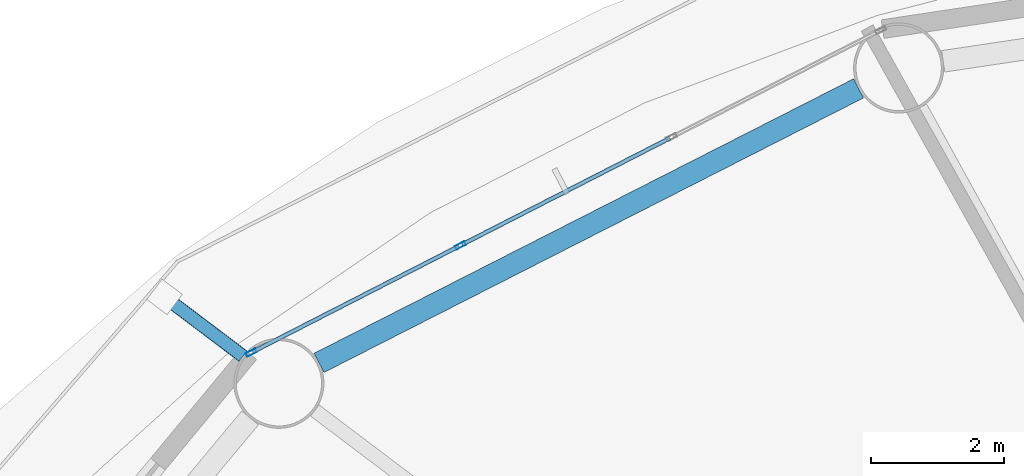
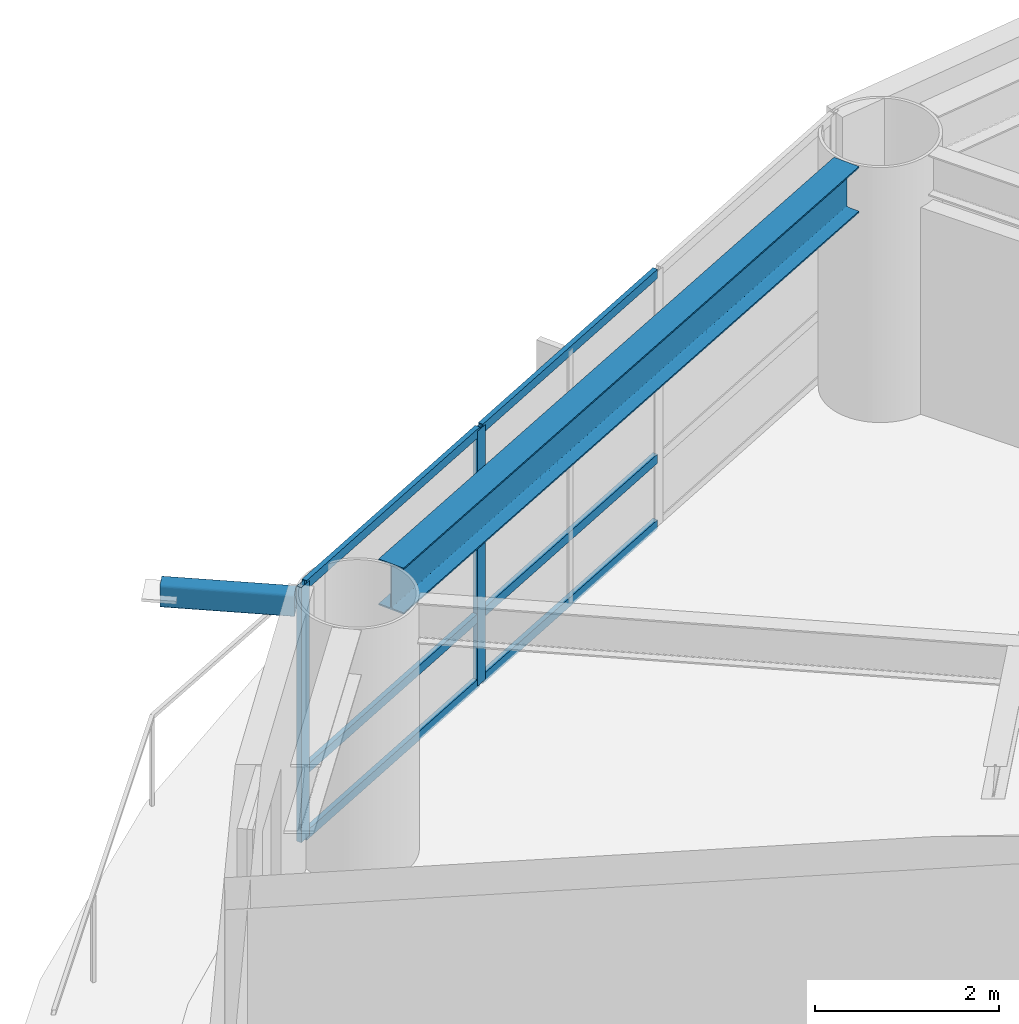
# One storey, part 8 of 24: 9 members, 1 beam, 1 element without a shape of its own.
"""IFC4 building model written with IfcOpenShell, lengths in metres."""

from ifc_helpers import new_model, si_unit, direction, frame, origin, origin_2d, place, context, subcontext, project, spatial, hollow_rectangle, i_section, extrude, material, layer, layer_set, material_profile, profile_set, type_object, element, aggregate, save


model = new_model("IFC4")

# Units and contexts
model_context = context("Model", 3, precision=1e-05, world=origin(), true_north=direction((0.0, 1.0)))
body_context = subcontext(model_context, "Body", "Model", "MODEL_VIEW")
ifc_project = project(units=[si_unit("LENGTHUNIT", "METRE"), si_unit("AREAUNIT", "SQUARE_METRE"), si_unit("VOLUMEUNIT", "CUBIC_METRE"), si_unit("PLANEANGLEUNIT", "RADIAN"), si_unit("MASSUNIT", "GRAM", prefix="KILO")], contexts=[model_context])

# Site, building, storey
site_placement = place(None, origin())
site = spatial("IfcSite", under=ifc_project, at=site_placement, CompositionType="ELEMENT")
building_placement = place(site_placement, origin())
building = spatial("IfcBuilding", under=site, at=building_placement, Name="Sarneth Arch Tower", CompositionType="ELEMENT")
storey_placement = place(building_placement, frame((0.0, 0.0, 127.199951171875)))
storey = spatial("IfcBuildingStorey", under=building, at=storey_placement, Name="L32", CompositionType="ELEMENT", Elevation=127.199951171875)

# Beam
ifc_material_1 = material(Name="Steel S355", Category="steel")
ifc_material_profile_1 = material_profile(ifc_material_1, i_section(OverallWidth=0.323974609375, OverallDepth=0.611083984375, WebThickness=0.0126953125, FlangeThickness=0.01904296875, FilletRadius=0.01904296875, at=origin_2d()), Name="W610x155")
ifc_profile_set_1 = profile_set([ifc_material_profile_1], Name="Steel S355")
beam_type = type_object("IfcBeamType", Name="BM-SPAN-610B", PredefinedType="SPANDREL", material=ifc_profile_set_1)
beam_placement = place(storey_placement, frame((36.2880859375, 61.83447265625, 3.074462890625), z_axis=(-0.891255891792, -0.453500755619, 0.0), x_axis=(0.453500755619, -0.891255891792, 0.0)))
element("IfcBeam", 1, at=beam_placement, inside=storey, type_object=beam_type, Name="L32 Perimeter spandrel beam 06", PredefinedType="SPANDREL", context=body_context, shape_type="SweptSolid", body=[
    extrude(i_section(OverallWidth=0.323974609375, OverallDepth=0.611083984375, WebThickness=0.0126953125, FlangeThickness=0.01904296875, FilletRadius=0.01904296875, at=origin_2d()), origin(), (0.0, 0.0, 1.0), 9.070556640625),
])

# Curtain wall, members
ifc_material_2 = material(Name="Anodised aluminium Type AA25 and solar-control low-e laminated IGU", Category="aluminium")
ifc_layer = layer(ifc_material_2, 0.159912109375)
ifc_layer_set = layer_set([ifc_layer], Name="Anodised aluminium Type AA25 and solar-control low-e laminated IGU")
curtain_wall_type = type_object("IfcCurtainWallType", Name="CW-HOTEL-MID", PredefinedType="NOTDEFINED", material=ifc_layer_set)
curtain_wall_placement = place(storey_placement, origin())
curtain_wall = element("IfcCurtainWall", 2, at=curtain_wall_placement, inside=storey, type_object=curtain_wall_type, Name="L32 Unitised curtain wall facet 06", PredefinedType="NOTDEFINED")
ifc_material_3 = material(Name="Anodised Aluminium 6063-T6", Category="aluminium")
ifc_material_profile_2 = material_profile(ifc_material_3, hollow_rectangle(XDim=0.06005859375, YDim=0.159912109375, WallThickness=0.00390625, at=origin_2d()), Name="AL-MULL-160x60x4")
ifc_profile_set_2 = profile_set([ifc_material_profile_2], Name="Anodised Aluminium 6063-T6")
member_type_1 = type_object("IfcMemberType", Name="CW-MULLION", PredefinedType="MULLION", material=ifc_profile_set_2)
member_1_placement = place(storey_placement, frame((30.322998046875, 59.481201171875, 0.0), z_axis=(0.0, 0.0, 1.0), x_axis=(0.456031365356, -0.889963703649, 0.0)))
member_1 = element("IfcMember", 3, at=member_1_placement, type_object=member_type_1, Name="CW-SYS-4 mullion 3", PredefinedType="MULLION", context=body_context, shape_type="SweptSolid", body=[
    extrude(hollow_rectangle(XDim=0.06005859375, YDim=0.159912109375, WallThickness=0.00390625, at=origin_2d()), origin(), (0.0, 0.0, 1.0), 3.380126953125),
])
member_2_placement = place(storey_placement, frame((27.186767578125, 57.8740234375, 0.0), z_axis=(0.0, 0.0, 1.0), x_axis=(0.456031365356, -0.889963703649, 0.0)))
member_2 = element("IfcMember", 4, at=member_2_placement, type_object=member_type_1, Name="CW-SYS-4 mullion 4", PredefinedType="MULLION", context=body_context, shape_type="SweptSolid", body=[
    extrude(hollow_rectangle(XDim=0.06005859375, YDim=0.159912109375, WallThickness=0.00390625, at=origin_2d()), origin(), (0.0, 0.0, 1.0), 3.380126953125),
])
ifc_material_4 = material(Name="Anodised Aluminium 6063-T6", Category="aluminium")
ifc_material_profile_3 = material_profile(ifc_material_4, hollow_rectangle(XDim=0.06005859375, YDim=0.1201171875, WallThickness=0.00390625, at=origin_2d()), Name="AL-TRAN-120x60x4")
ifc_profile_set_3 = profile_set([ifc_material_profile_3], Name="Anodised Aluminium 6063-T6")
member_type_2 = type_object("IfcMemberType", Name="CW-TRANSOM", PredefinedType="USERDEFINED", material=ifc_profile_set_3)
member_3_placement = place(storey_placement, frame((33.459228515625, 61.088134765625, 0.030029296875), z_axis=(-0.889981813856, -0.455996020823, 0.0), x_axis=(0.455996020823, -0.889981813856, 0.0)))
member_3 = element("IfcMember", 5, at=member_3_placement, type_object=member_type_2, Name="CW-SYS-4 transom 2.1", ObjectType="TRANSOM", PredefinedType="USERDEFINED", context=body_context, shape_type="SweptSolid", body=[
    extrude(hollow_rectangle(XDim=0.06005859375, YDim=0.1201171875, WallThickness=0.00390625, at=origin_2d()), origin(), (0.0, 0.0, 1.0), 3.494140625),
])
member_4_placement = place(storey_placement, frame((33.459228515625, 61.088134765625, 0.900146484375), z_axis=(-0.889981813856, -0.455996020823, 0.0), x_axis=(0.455996020823, -0.889981813856, 0.0)))
member_4 = element("IfcMember", 6, at=member_4_placement, type_object=member_type_2, Name="CW-SYS-4 transom 2.2", ObjectType="TRANSOM", PredefinedType="USERDEFINED", context=body_context, shape_type="SweptSolid", body=[
    extrude(hollow_rectangle(XDim=0.06005859375, YDim=0.1201171875, WallThickness=0.00390625, at=origin_2d()), origin(), (0.0, 0.0, 1.0), 3.494140625),
])
member_5_placement = place(storey_placement, frame((33.459228515625, 61.088134765625, 3.35009765625), z_axis=(-0.889981813856, -0.455996020823, 0.0), x_axis=(0.455996020823, -0.889981813856, 0.0)))
member_5 = element("IfcMember", 7, at=member_5_placement, type_object=member_type_2, Name="CW-SYS-4 transom 2.3", ObjectType="TRANSOM", PredefinedType="USERDEFINED", context=body_context, shape_type="SweptSolid", body=[
    extrude(hollow_rectangle(XDim=0.06005859375, YDim=0.1201171875, WallThickness=0.00390625, at=origin_2d()), origin(), (0.0, 0.0, 1.0), 3.494140625),
])
member_6_placement = place(storey_placement, frame((30.296142578125, 59.467529296875, 0.030029296875), z_axis=(-0.889942905184, -0.456071952122, 0.0), x_axis=(0.456071952122, -0.889942905184, 0.0)))
member_6 = element("IfcMember", 8, at=member_6_placement, type_object=member_type_2, Name="CW-SYS-4 transom 3.1", ObjectType="TRANSOM", PredefinedType="USERDEFINED", context=body_context, shape_type="SweptSolid", body=[
    extrude(hollow_rectangle(XDim=0.06005859375, YDim=0.1201171875, WallThickness=0.00390625, at=origin_2d()), origin(), (0.0, 0.0, 1.0), 3.464111328125),
])
member_7_placement = place(storey_placement, frame((30.296142578125, 59.467529296875, 0.900146484375), z_axis=(-0.889942905184, -0.456071952122, 0.0), x_axis=(0.456071952122, -0.889942905184, 0.0)))
member_7 = element("IfcMember", 9, at=member_7_placement, type_object=member_type_2, Name="CW-SYS-4 transom 3.2", ObjectType="TRANSOM", PredefinedType="USERDEFINED", context=body_context, shape_type="SweptSolid", body=[
    extrude(hollow_rectangle(XDim=0.06005859375, YDim=0.1201171875, WallThickness=0.00390625, at=origin_2d()), origin(), (0.0, 0.0, 1.0), 3.464111328125),
])
member_8_placement = place(storey_placement, frame((30.296142578125, 59.467529296875, 3.35009765625), z_axis=(-0.889942905184, -0.456071952122, 0.0), x_axis=(0.456071952122, -0.889942905184, 0.0)))
member_8 = element("IfcMember", 10, at=member_8_placement, type_object=member_type_2, Name="CW-SYS-4 transom 3.3", ObjectType="TRANSOM", PredefinedType="USERDEFINED", context=body_context, shape_type="SweptSolid", body=[
    extrude(hollow_rectangle(XDim=0.06005859375, YDim=0.1201171875, WallThickness=0.00390625, at=origin_2d()), origin(), (0.0, 0.0, 1.0), 3.464111328125),
])
aggregate(curtain_wall, [member_1, member_2, member_3, member_4, member_5, member_6, member_7, member_8])

# Member
ifc_material_5 = material(Name="Steel S355", Category="steel")
ifc_material_profile_4 = material_profile(ifc_material_5, hollow_rectangle(XDim=0.199951171875, YDim=0.300048828125, WallThickness=0.012451171875, InnerFilletRadius=0.018798828125, OuterFilletRadius=0.03125, at=origin_2d()), Name="RHS300x200x12.5")
ifc_profile_set_4 = profile_set([ifc_material_profile_4], Name="Steel S355")
member_type_3 = type_object("IfcMemberType", Name="MEM-CANT-STRUT", PredefinedType="STRUT", material=ifc_profile_set_4)
member_9_placement = place(storey_placement, frame((27.063720703125, 57.822021484375, 3.219970703125), z_axis=(-0.797805270649, 0.602915209731, 0.0), x_axis=(-0.602915209731, -0.797805270649, 0.0)))
element("IfcMember", 11, at=member_9_placement, inside=storey, type_object=member_type_3, Name="L32 Balcony cantilever bracket 07", PredefinedType="STRUT", context=body_context, shape_type="SweptSolid", body=[
    extrude(hollow_rectangle(XDim=0.199951171875, YDim=0.300048828125, WallThickness=0.012451171875, InnerFilletRadius=0.018798828125, OuterFilletRadius=0.03125, at=origin_2d()), origin(), (0.0, 0.0, 1.0), 1.471923828125),
])

save(model, "model.ifc")
